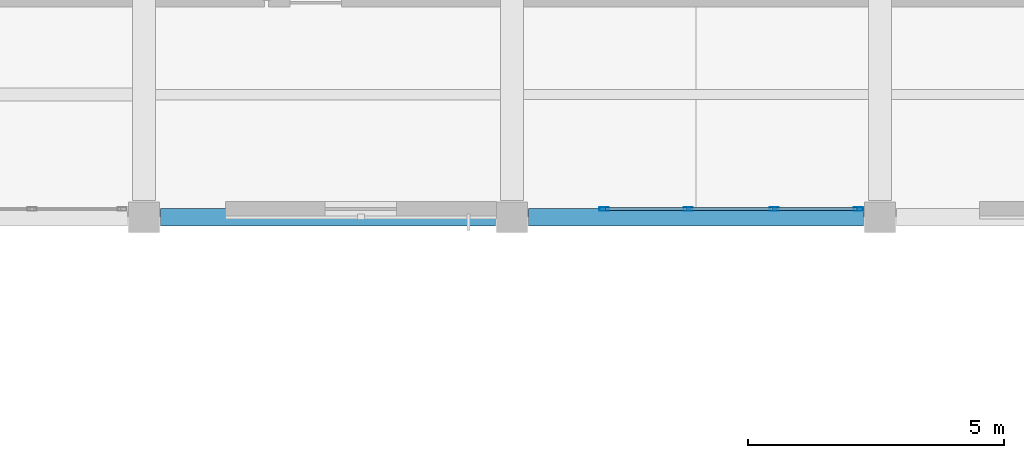
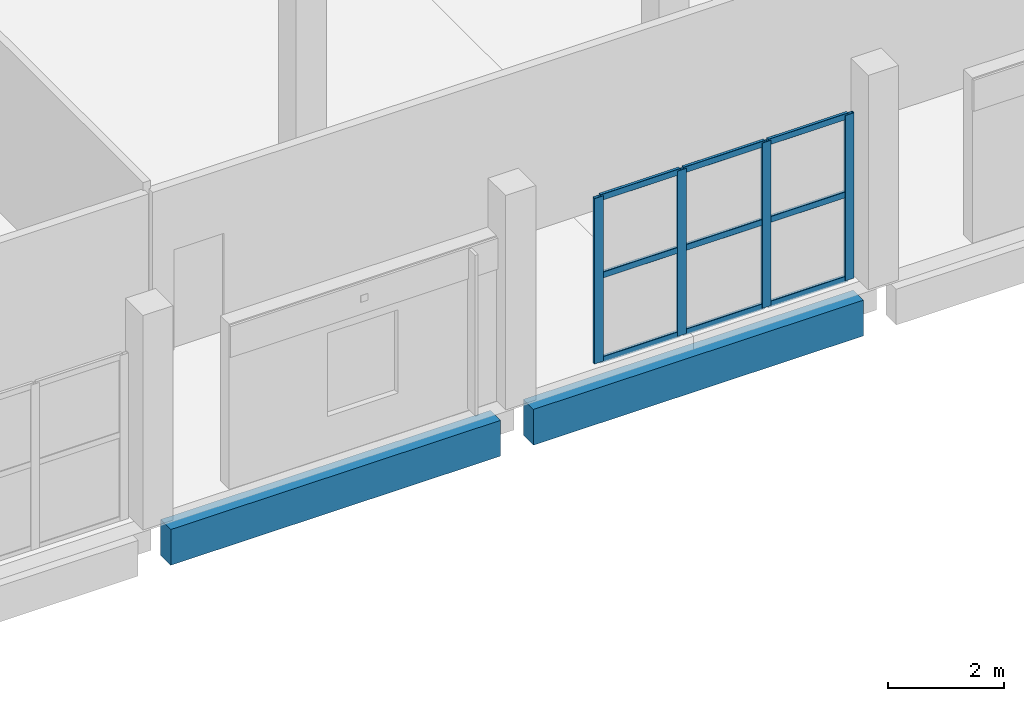
# One storey, part 54 of 123: 13 members, 2 beams, 1 element without a shape of its own.
"""IFC4 building model written with IfcOpenShell, lengths in metres."""

from ifc_helpers import new_model, si_unit, direction, frame, origin, origin_2d, place, context, subcontext, project, spatial, rectangle, hollow_rectangle, extrude, material, material_profile, profile_set, type_object, element, aggregate, save


model = new_model("IFC4")

# Units and contexts
model_context = context("Model", 3, precision=1e-05, world=origin(), true_north=direction((0.0, 1.0)))
body_context = subcontext(model_context, "Body", "Model", "MODEL_VIEW")
ifc_project = project(units=[si_unit("LENGTHUNIT", "METRE"), si_unit("AREAUNIT", "SQUARE_METRE"), si_unit("VOLUMEUNIT", "CUBIC_METRE"), si_unit("PLANEANGLEUNIT", "RADIAN"), si_unit("MASSUNIT", "GRAM", prefix="KILO")], contexts=[model_context])

# Site, building, storey
site_placement = place(None, origin())
site = spatial("IfcSite", under=ifc_project, at=site_placement, CompositionType="ELEMENT")
building_placement = place(site_placement, origin())
building = spatial("IfcBuilding", under=site, at=building_placement, Name="Kalmorath City Hall", CompositionType="ELEMENT")
storey_placement = place(building_placement, frame((0.0, 0.0, 10.199951171875)))
storey = spatial("IfcBuildingStorey", under=building, at=storey_placement, Name="L02", CompositionType="ELEMENT", Elevation=10.199951171875)

# Curtain wall, members
ifc_material_1 = material(Name="Anodised aluminium and laminated glass", Category="aluminium")
curtain_wall_type = type_object("IfcCurtainWallType", Name="Unitised hurricane curtain wall 5041x3471 M1750", PredefinedType="NOTDEFINED", material=ifc_material_1)
curtain_wall_placement = place(storey_placement, origin())
curtain_wall = element("IfcCurtainWall", 1, at=curtain_wall_placement, inside=storey, type_object=curtain_wall_type, Name="L02 curtain wall CW-50X35M18 #133", PredefinedType="NOTDEFINED")
ifc_material_2 = material(Name="Anodised aluminium framing", Category="aluminium")
ifc_material_profile_1 = material_profile(ifc_material_2, hollow_rectangle(XDim=0.06494140625, YDim=0.179931640625, WallThickness=0.00390625, InnerFilletRadius=0.00390625, OuterFilletRadius=0.008056640625, at=origin_2d()), Name="ALU-MUL-180X65X4")
ifc_profile_set_1 = profile_set([ifc_material_profile_1], Name="Anodised aluminium framing")
member_type_1 = type_object("IfcMemberType", Name="Curtain-wall courtyard mullion 180x65", PredefinedType="MULLION", material=ifc_profile_set_1)
member_1_placement = place(storey_placement, frame((107.577392578125, 93.760009765625, 0.0), z_axis=(0.0, 0.0, 1.0), x_axis=(0.0, -1.0, 0.0)))
member_1 = element("IfcMember", 2, at=member_1_placement, type_object=member_type_1, Name="CW-50X35M18 mullion 1", PredefinedType="MULLION", context=body_context, shape_type="SweptSolid", body=[
    extrude(hollow_rectangle(XDim=0.06494140625, YDim=0.179931640625, WallThickness=0.00390625, InnerFilletRadius=0.00390625, OuterFilletRadius=0.008056640625, at=origin_2d()), origin(), (0.0, 0.0, 1.0), 3.470947265625),
])
member_2_placement = place(storey_placement, frame((105.9296875, 93.760009765625, 0.0), z_axis=(0.0, 0.0, 1.0), x_axis=(0.0, -1.0, 0.0)))
member_2 = element("IfcMember", 3, at=member_2_placement, type_object=member_type_1, Name="CW-50X35M18 mullion 2", PredefinedType="MULLION", context=body_context, shape_type="SweptSolid", body=[
    extrude(hollow_rectangle(XDim=0.06494140625, YDim=0.179931640625, WallThickness=0.00390625, InnerFilletRadius=0.00390625, OuterFilletRadius=0.008056640625, at=origin_2d()), origin(), (0.0, 0.0, 1.0), 3.470947265625),
])
member_3_placement = place(storey_placement, frame((104.249267578125, 93.760009765625, 0.0), z_axis=(0.0, 0.0, 1.0), x_axis=(0.0, -1.0, 0.0)))
member_3 = element("IfcMember", 4, at=member_3_placement, type_object=member_type_1, Name="CW-50X35M18 mullion 3", PredefinedType="MULLION", context=body_context, shape_type="SweptSolid", body=[
    extrude(hollow_rectangle(XDim=0.06494140625, YDim=0.179931640625, WallThickness=0.00390625, InnerFilletRadius=0.00390625, OuterFilletRadius=0.008056640625, at=origin_2d()), origin(), (0.0, 0.0, 1.0), 3.470947265625),
])
member_4_placement = place(storey_placement, frame((102.601318359375, 93.760009765625, 0.0), z_axis=(0.0, 0.0, 1.0), x_axis=(0.0, -1.0, 0.0)))
member_4 = element("IfcMember", 5, at=member_4_placement, type_object=member_type_1, Name="CW-50X35M18 mullion 4", PredefinedType="MULLION", context=body_context, shape_type="SweptSolid", body=[
    extrude(hollow_rectangle(XDim=0.06494140625, YDim=0.179931640625, WallThickness=0.00390625, InnerFilletRadius=0.00390625, OuterFilletRadius=0.008056640625, at=origin_2d()), origin(), (0.0, 0.0, 1.0), 3.470947265625),
])
ifc_material_3 = material(Name="Anodised aluminium framing", Category="aluminium")
ifc_material_profile_2 = material_profile(ifc_material_3, hollow_rectangle(XDim=0.06005859375, YDim=0.1298828125, WallThickness=0.00341796875, InnerFilletRadius=0.00341796875, OuterFilletRadius=0.007080078125, at=origin_2d()), Name="ALU-TRN-130X60X3.5")
ifc_profile_set_2 = profile_set([ifc_material_profile_2], Name="Anodised aluminium framing")
member_type_2 = type_object("IfcMemberType", Name="Curtain-wall courtyard transom 130x60", PredefinedType="USERDEFINED", material=ifc_profile_set_2)
member_5_placement = place(storey_placement, frame((107.544921875, 93.760009765625, 0.030029296875), z_axis=(-1.0, 0.0, 0.0), x_axis=(0.0, -1.0, 0.0)))
member_5 = element("IfcMember", 6, at=member_5_placement, type_object=member_type_2, Name="CW-50X35M18 transom 1.1", ObjectType="TRANSOM", PredefinedType="USERDEFINED", context=body_context, shape_type="SweptSolid", body=[
    extrude(hollow_rectangle(XDim=0.06005859375, YDim=0.1298828125, WallThickness=0.00341796875, InnerFilletRadius=0.00341796875, OuterFilletRadius=0.007080078125, at=origin_2d()), origin(), (0.0, 0.0, 1.0), 1.582763671875),
])
member_6_placement = place(storey_placement, frame((107.544921875, 93.760009765625, 1.804931640625), z_axis=(-1.0, 0.0, 0.0), x_axis=(0.0, -1.0, 0.0)))
member_6 = element("IfcMember", 7, at=member_6_placement, type_object=member_type_2, Name="CW-50X35M18 transom 1.2", ObjectType="TRANSOM", PredefinedType="USERDEFINED", context=body_context, shape_type="SweptSolid", body=[
    extrude(hollow_rectangle(XDim=0.06005859375, YDim=0.1298828125, WallThickness=0.00341796875, InnerFilletRadius=0.00341796875, OuterFilletRadius=0.007080078125, at=origin_2d()), origin(), (0.0, 0.0, 1.0), 1.582763671875),
])
member_7_placement = place(storey_placement, frame((107.544921875, 93.760009765625, 3.441162109375), z_axis=(-1.0, 0.0, 0.0), x_axis=(0.0, -1.0, 0.0)))
member_7 = element("IfcMember", 8, at=member_7_placement, type_object=member_type_2, Name="CW-50X35M18 transom 1.3", ObjectType="TRANSOM", PredefinedType="USERDEFINED", context=body_context, shape_type="SweptSolid", body=[
    extrude(hollow_rectangle(XDim=0.06005859375, YDim=0.1298828125, WallThickness=0.00341796875, InnerFilletRadius=0.00341796875, OuterFilletRadius=0.007080078125, at=origin_2d()), origin(), (0.0, 0.0, 1.0), 1.582763671875),
])
member_8_placement = place(storey_placement, frame((105.897216796875, 93.760009765625, 0.030029296875), z_axis=(-1.0, 0.0, 0.0), x_axis=(0.0, -1.0, 0.0)))
member_8 = element("IfcMember", 9, at=member_8_placement, type_object=member_type_2, Name="CW-50X35M18 transom 2.1", ObjectType="TRANSOM", PredefinedType="USERDEFINED", context=body_context, shape_type="SweptSolid", body=[
    extrude(hollow_rectangle(XDim=0.06005859375, YDim=0.1298828125, WallThickness=0.00341796875, InnerFilletRadius=0.00341796875, OuterFilletRadius=0.007080078125, at=origin_2d()), origin(), (0.0, 0.0, 1.0), 1.615478515625),
])
member_9_placement = place(storey_placement, frame((105.897216796875, 93.760009765625, 1.804931640625), z_axis=(-1.0, 0.0, 0.0), x_axis=(0.0, -1.0, 0.0)))
member_9 = element("IfcMember", 10, at=member_9_placement, type_object=member_type_2, Name="CW-50X35M18 transom 2.2", ObjectType="TRANSOM", PredefinedType="USERDEFINED", context=body_context, shape_type="SweptSolid", body=[
    extrude(hollow_rectangle(XDim=0.06005859375, YDim=0.1298828125, WallThickness=0.00341796875, InnerFilletRadius=0.00341796875, OuterFilletRadius=0.007080078125, at=origin_2d()), origin(), (0.0, 0.0, 1.0), 1.615478515625),
])
member_10_placement = place(storey_placement, frame((105.897216796875, 93.760009765625, 3.441162109375), z_axis=(-1.0, 0.0, 0.0), x_axis=(0.0, -1.0, 0.0)))
member_10 = element("IfcMember", 11, at=member_10_placement, type_object=member_type_2, Name="CW-50X35M18 transom 2.3", ObjectType="TRANSOM", PredefinedType="USERDEFINED", context=body_context, shape_type="SweptSolid", body=[
    extrude(hollow_rectangle(XDim=0.06005859375, YDim=0.1298828125, WallThickness=0.00341796875, InnerFilletRadius=0.00341796875, OuterFilletRadius=0.007080078125, at=origin_2d()), origin(), (0.0, 0.0, 1.0), 1.615478515625),
])
member_11_placement = place(storey_placement, frame((104.216796875, 93.760009765625, 0.030029296875), z_axis=(-1.0, 0.0, 0.0), x_axis=(0.0, -1.0, 0.0)))
member_11 = element("IfcMember", 12, at=member_11_placement, type_object=member_type_2, Name="CW-50X35M18 transom 3.1", ObjectType="TRANSOM", PredefinedType="USERDEFINED", context=body_context, shape_type="SweptSolid", body=[
    extrude(hollow_rectangle(XDim=0.06005859375, YDim=0.1298828125, WallThickness=0.00341796875, InnerFilletRadius=0.00341796875, OuterFilletRadius=0.007080078125, at=origin_2d()), origin(), (0.0, 0.0, 1.0), 1.5830078125),
])
member_12_placement = place(storey_placement, frame((104.216796875, 93.760009765625, 1.804931640625), z_axis=(-1.0, 0.0, 0.0), x_axis=(0.0, -1.0, 0.0)))
member_12 = element("IfcMember", 13, at=member_12_placement, type_object=member_type_2, Name="CW-50X35M18 transom 3.2", ObjectType="TRANSOM", PredefinedType="USERDEFINED", context=body_context, shape_type="SweptSolid", body=[
    extrude(hollow_rectangle(XDim=0.06005859375, YDim=0.1298828125, WallThickness=0.00341796875, InnerFilletRadius=0.00341796875, OuterFilletRadius=0.007080078125, at=origin_2d()), origin(), (0.0, 0.0, 1.0), 1.5830078125),
])
member_13_placement = place(storey_placement, frame((104.216796875, 93.760009765625, 3.441162109375), z_axis=(-1.0, 0.0, 0.0), x_axis=(0.0, -1.0, 0.0)))
member_13 = element("IfcMember", 14, at=member_13_placement, type_object=member_type_2, Name="CW-50X35M18 transom 3.3", ObjectType="TRANSOM", PredefinedType="USERDEFINED", context=body_context, shape_type="SweptSolid", body=[
    extrude(hollow_rectangle(XDim=0.06005859375, YDim=0.1298828125, WallThickness=0.00341796875, InnerFilletRadius=0.00341796875, OuterFilletRadius=0.007080078125, at=origin_2d()), origin(), (0.0, 0.0, 1.0), 1.5830078125),
])
aggregate(curtain_wall, [member_1, member_2, member_3, member_4, member_5, member_6, member_7, member_8, member_9, member_10, member_11, member_12, member_13])

# Beams
ifc_material_4 = material(Name="Precast concrete C40/50", Category="concrete")
ifc_material_profile_3 = material_profile(ifc_material_4, rectangle(XDim=0.35009765625, YDim=0.75, at=origin_2d()), Name="PC-SP-350X750")
ifc_profile_set_3 = profile_set([ifc_material_profile_3], Name="Precast concrete C40/50")
beam_type = type_object("IfcBeamType", Name="Precast spandrel lintel 350x750", PredefinedType="LINTEL", material=ifc_profile_set_3)
for number, where, z_axis, x_axis, name in (
    (15, (93.925048828125, 93.60009765625, -0.658935546875), (1.0, 0.0, 0.0), (0.0, 1.0, 0.0), "L02 girder PSB1 X14-15/14"),
    (16, (101.125, 93.60009765625, -0.658935546875), (1.0, 0.0, 0.0), (0.0, 1.0, 0.0), "L02 girder PSB1 X15-16/14"),
):
    element("IfcBeam", number, at=place(storey_placement, frame(where, z_axis=z_axis, x_axis=x_axis)), inside=storey, type_object=beam_type, Name=name, PredefinedType="LINTEL", context=body_context, shape_type="SweptSolid", body=[
        extrude(rectangle(XDim=0.35009765625, YDim=0.75, at=origin_2d()), origin(), (0.0, 0.0, 1.0), 6.550048828125),
    ])

save(model, "model.ifc")
